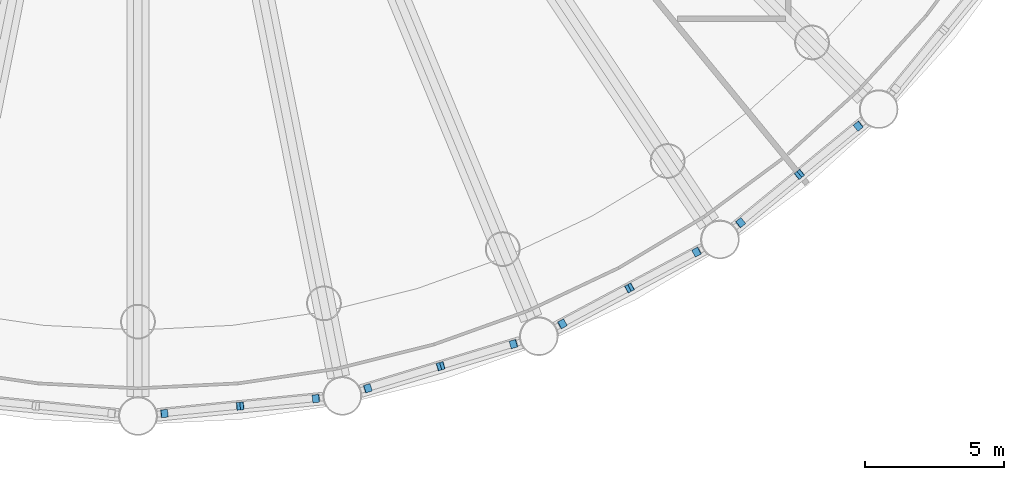
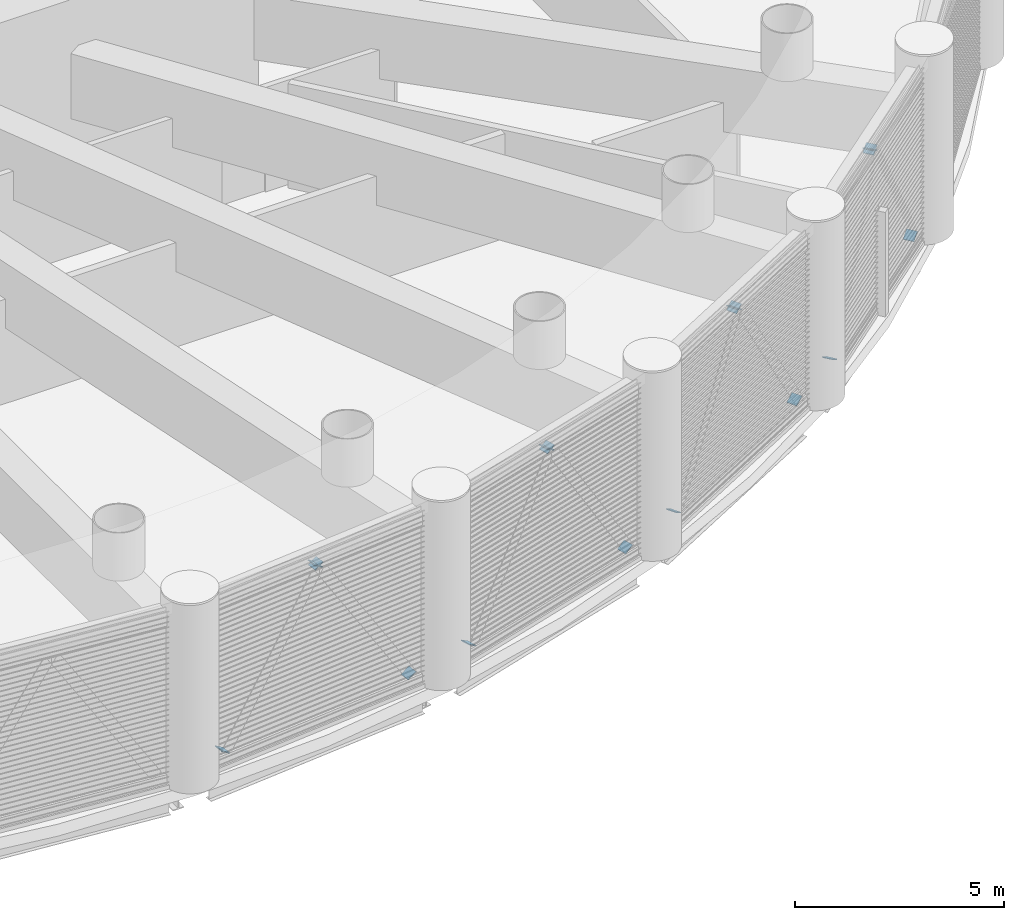
# One storey, part 13 of 26: 16 discrete accessories.
"""IFC4 building model written with IfcOpenShell, lengths in metres."""

from ifc_helpers import new_model, si_unit, direction, frame, origin, origin_2d, place, context, subcontext, project, spatial, rectangle, extrude, material, material_profile, profile_set, type_object, element, save


model = new_model("IFC4")

# Units and contexts
model_context = context("Model", 3, precision=1e-05, world=origin(), true_north=direction((0.0, 1.0)))
body_context = subcontext(model_context, "Body", "Model", "MODEL_VIEW")
ifc_project = project(units=[si_unit("LENGTHUNIT", "METRE"), si_unit("AREAUNIT", "SQUARE_METRE"), si_unit("VOLUMEUNIT", "CUBIC_METRE"), si_unit("PLANEANGLEUNIT", "RADIAN"), si_unit("MASSUNIT", "GRAM", prefix="KILO")], contexts=[model_context])

# Site, building, storey
site_placement = place(None, origin())
site = spatial("IfcSite", under=ifc_project, at=site_placement, CompositionType="ELEMENT")
building_placement = place(site_placement, origin())
building = spatial("IfcBuilding", under=site, at=building_placement, Name="Corvane Civic Tower", CompositionType="ELEMENT")
storey_placement = place(building_placement, frame((0.0, 0.0, 85.0)))
storey = spatial("IfcBuildingStorey", under=building, at=storey_placement, Name="L19", CompositionType="ELEMENT", Elevation=85.0)

# Discrete accessories
ifc_material = material(Name="Steel ASTM A572 Gr 50", Category="steel")
ifc_material_profile = material_profile(ifc_material, rectangle(XDim=0.2802734375, YDim=0.2802734375, at=origin_2d()), Name="GUSSET PLATE 25 IN HSS12X12X1/2")
ifc_profile_set = profile_set([ifc_material_profile], Name="Steel ASTM A572 Gr 50")
discrete_accessory_type = type_object("IfcDiscreteAccessoryType", Name="GUSSET PLATE 25 IN HSS12X12X1/2", PredefinedType="BRACKET", material=ifc_profile_set)
discrete_accessory_1_placement = place(storey_placement, frame((25.923583984375, -27.2607421875, 0.406494140625), z_axis=(-0.413517243021, -0.334752053874, 0.846725783328), x_axis=(0.629198228668, -0.777244870707, 0.0)))
element("IfcDiscreteAccessory", 1, at=discrete_accessory_1_placement, inside=storey, type_object=discrete_accessory_type, Name="Gusset plate BD1 end A", PredefinedType="BRACKET", context=body_context, shape_type="SweptSolid", body=[
    extrude(rectangle(XDim=0.2802734375, YDim=0.2802734375, at=origin_2d()), origin(), (0.0, 0.0, 1.0), 0.02490234375),
])
discrete_accessory_2_placement = place(storey_placement, frame((23.801513671875, -29.002197265625, 4.74365234375), z_axis=(0.408750654966, 0.340625545805, -0.846697785287), x_axis=(-0.640184399664, 0.768221279597, 0.0)))
element("IfcDiscreteAccessory", 2, at=discrete_accessory_2_placement, inside=storey, type_object=discrete_accessory_type, Name="Gusset plate BD1 end B", PredefinedType="BRACKET", context=body_context, shape_type="SweptSolid", body=[
    extrude(rectangle(XDim=0.2802734375, YDim=0.2802734375, at=origin_2d()), origin(), (0.0, 0.0, 1.0), 0.025146484375),
])
discrete_accessory_3_placement = place(storey_placement, frame((21.679443359375, -30.74365234375, 0.406494140625), z_axis=(0.413517243021, 0.334752053874, 0.846725783328), x_axis=(-0.629198228668, 0.777244870707, 0.0)))
element("IfcDiscreteAccessory", 3, at=discrete_accessory_3_placement, inside=storey, type_object=discrete_accessory_type, Name="Gusset plate BD1 end A", PredefinedType="BRACKET", context=body_context, shape_type="SweptSolid", body=[
    extrude(rectangle(XDim=0.2802734375, YDim=0.2802734375, at=origin_2d()), origin(), (0.0, 0.0, 1.0), 0.02490234375),
])
discrete_accessory_4_placement = place(storey_placement, frame((23.801513671875, -29.002197265625, 4.74365234375), z_axis=(-0.408750654966, -0.340625545805, -0.846697785287), x_axis=(0.640184399664, -0.768221279597, 0.0)))
element("IfcDiscreteAccessory", 4, at=discrete_accessory_4_placement, inside=storey, type_object=discrete_accessory_type, Name="Gusset plate BD1 end B", PredefinedType="BRACKET", context=body_context, shape_type="SweptSolid", body=[
    extrude(rectangle(XDim=0.2802734375, YDim=0.2802734375, at=origin_2d()), origin(), (0.0, 0.0, 1.0), 0.025146484375),
])
discrete_accessory_5_placement = place(storey_placement, frame((20.107177734375, -31.794189453125, 0.406494140625), z_axis=(-0.471222756944, -0.255245660011, 0.844274106191), x_axis=(0.476283148541, -0.879291966537, 0.0)))
element("IfcDiscreteAccessory", 5, at=discrete_accessory_5_placement, inside=storey, type_object=discrete_accessory_type, Name="Gusset plate BD1 end A", PredefinedType="BRACKET", context=body_context, shape_type="SweptSolid", body=[
    extrude(rectangle(XDim=0.2802734375, YDim=0.2802734375, at=origin_2d()), origin(), (0.0, 0.0, 1.0), 0.02490234375),
])
discrete_accessory_6_placement = place(storey_placement, frame((17.686279296875, -33.08837890625, 4.74365234375), z_axis=(0.467342837645, 0.253144037058, -0.847058893232), x_axis=(-0.476283148541, 0.879291966537, 0.0)))
element("IfcDiscreteAccessory", 6, at=discrete_accessory_6_placement, inside=storey, type_object=discrete_accessory_type, Name="Gusset plate BD1 end B", PredefinedType="BRACKET", context=body_context, shape_type="SweptSolid", body=[
    extrude(rectangle(XDim=0.2802734375, YDim=0.2802734375, at=origin_2d()), origin(), (0.0, 0.0, 1.0), 0.025146484375),
])
discrete_accessory_7_placement = place(storey_placement, frame((15.26513671875, -34.382568359375, 0.406494140625), z_axis=(0.471222756944, 0.255245660011, 0.844274106191), x_axis=(-0.476283148541, 0.879291966537, 0.0)))
element("IfcDiscreteAccessory", 7, at=discrete_accessory_7_placement, inside=storey, type_object=discrete_accessory_type, Name="Gusset plate BD1 end A", PredefinedType="BRACKET", context=body_context, shape_type="SweptSolid", body=[
    extrude(rectangle(XDim=0.2802734375, YDim=0.2802734375, at=origin_2d()), origin(), (0.0, 0.0, 1.0), 0.02490234375),
])
discrete_accessory_8_placement = place(storey_placement, frame((17.686279296875, -33.08837890625, 4.74365234375), z_axis=(-0.474900743063, -0.25198814938, -0.843191115234), x_axis=(0.468715806899, -0.883349020695, 0.0)))
element("IfcDiscreteAccessory", 8, at=discrete_accessory_8_placement, inside=storey, type_object=discrete_accessory_type, Name="Gusset plate BD1 end B", PredefinedType="BRACKET", context=body_context, shape_type="SweptSolid", body=[
    extrude(rectangle(XDim=0.2802734375, YDim=0.2802734375, at=origin_2d()), origin(), (0.0, 0.0, 1.0), 0.025146484375),
])
for number, where, z_axis, x_axis, name in (
    (9, (13.51806640625, -35.106201171875, 0.406494140625), (-0.511750544557, -0.147620349392, 0.846356669845), (0.277160651302, -0.960823591181, 0.0), "Gusset plate BD1 end A"),
    (10, (10.89111328125, -35.90283203125, 4.74365234375), (0.507516375128, 0.146398954364, -0.84911393531), (-0.277160651302, 0.960823591181, 0.0), "Gusset plate BD1 end B"),
    (11, (8.26416015625, -36.699951171875, 0.406494140625), (0.510984024818, 0.15722585379, 0.845088964122), (-0.294085848838, 0.955779008722, 0.0), "Gusset plate BD1 end A"),
):
    element("IfcDiscreteAccessory", number, at=place(storey_placement, frame(where, z_axis=z_axis, x_axis=x_axis)), inside=storey, type_object=discrete_accessory_type, Name=name, PredefinedType="BRACKET", context=body_context, shape_type="SweptSolid", body=[
        extrude(rectangle(XDim=0.2802734375, YDim=0.2802734375, at=origin_2d()), origin(), (0.0, 0.0, 1.0), 0.02490234375),
    ])
discrete_accessory_9_placement = place(storey_placement, frame((10.89111328125, -35.90283203125, 4.74365234375), z_axis=(-0.50676869704, -0.155928829858, -0.847863012355), x_axis=(0.294085848838, -0.955779008722, 0.0)))
element("IfcDiscreteAccessory", 12, at=discrete_accessory_9_placement, inside=storey, type_object=discrete_accessory_type, Name="Gusset plate BD1 end B", PredefinedType="BRACKET", context=body_context, shape_type="SweptSolid", body=[
    extrude(rectangle(XDim=0.2802734375, YDim=0.2802734375, at=origin_2d()), origin(), (0.0, 0.0, 1.0), 0.025146484375),
])
discrete_accessory_10_placement = place(storey_placement, frame((6.40966796875, -37.068603515625, 0.406494140625), z_axis=(-0.537847476703, -0.058674270186, 0.840997872662), x_axis=(0.108447510175, -0.994102176608, 0.0)))
element("IfcDiscreteAccessory", 13, at=discrete_accessory_10_placement, inside=storey, type_object=discrete_accessory_type, Name="Gusset plate BD1 end A", PredefinedType="BRACKET", context=body_context, shape_type="SweptSolid", body=[
    extrude(rectangle(XDim=0.2802734375, YDim=0.2802734375, at=origin_2d()), origin(), (0.0, 0.0, 1.0), 0.02490234375),
])
discrete_accessory_11_placement = place(storey_placement, frame((3.677490234375, -37.337890625, 4.74365234375), z_axis=(0.533452871521, 0.058194858711, -0.843825451314), x_axis=(-0.108447510175, 0.994102176608, 0.0)))
element("IfcDiscreteAccessory", 14, at=discrete_accessory_11_placement, inside=storey, type_object=discrete_accessory_type, Name="Gusset plate BD1 end B", PredefinedType="BRACKET", context=body_context, shape_type="SweptSolid", body=[
    extrude(rectangle(XDim=0.2802734375, YDim=0.2802734375, at=origin_2d()), origin(), (0.0, 0.0, 1.0), 0.025146484375),
])
discrete_accessory_12_placement = place(storey_placement, frame((0.9453125, -37.60693359375, 0.406494140625), z_axis=(0.537847476703, 0.058674270186, 0.840997872662), x_axis=(-0.108447510175, 0.994102176608, 0.0)))
element("IfcDiscreteAccessory", 15, at=discrete_accessory_12_placement, inside=storey, type_object=discrete_accessory_type, Name="Gusset plate BD1 end A", PredefinedType="BRACKET", context=body_context, shape_type="SweptSolid", body=[
    extrude(rectangle(XDim=0.2802734375, YDim=0.2802734375, at=origin_2d()), origin(), (0.0, 0.0, 1.0), 0.02490234375),
])
discrete_accessory_13_placement = place(storey_placement, frame((3.677490234375, -37.337890625, 4.74365234375), z_axis=(-0.533729096341, -0.04852082694, -0.844262388758), x_axis=(0.090535746043, -0.995893206468, 0.0)))
element("IfcDiscreteAccessory", 16, at=discrete_accessory_13_placement, inside=storey, type_object=discrete_accessory_type, Name="Gusset plate BD1 end B", PredefinedType="BRACKET", context=body_context, shape_type="SweptSolid", body=[
    extrude(rectangle(XDim=0.2802734375, YDim=0.2802734375, at=origin_2d()), origin(), (0.0, 0.0, 1.0), 0.025146484375),
])

save(model, "model.ifc")
